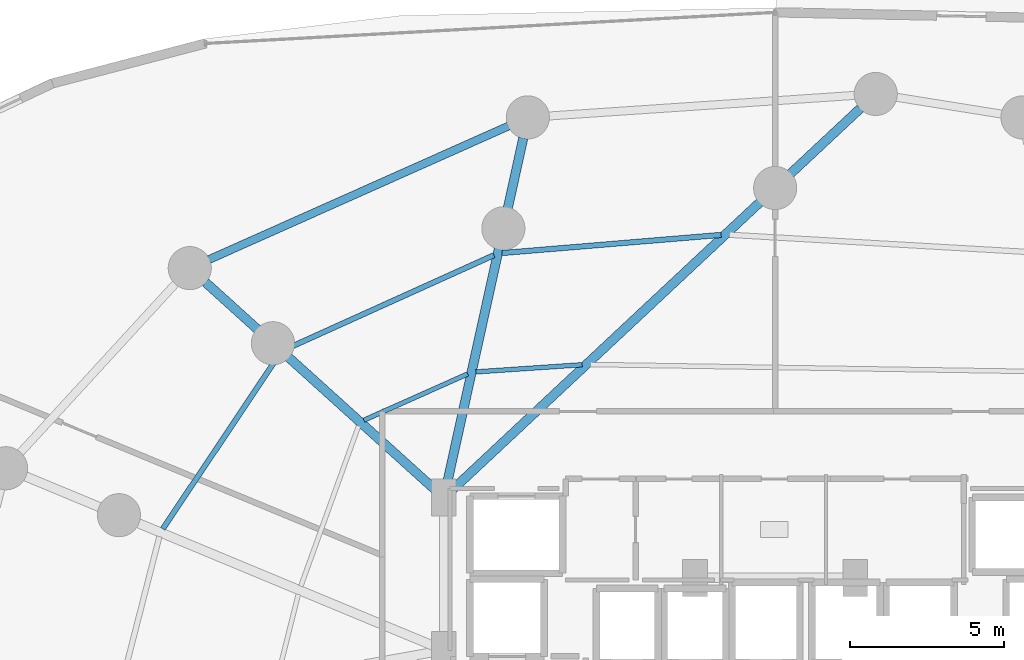
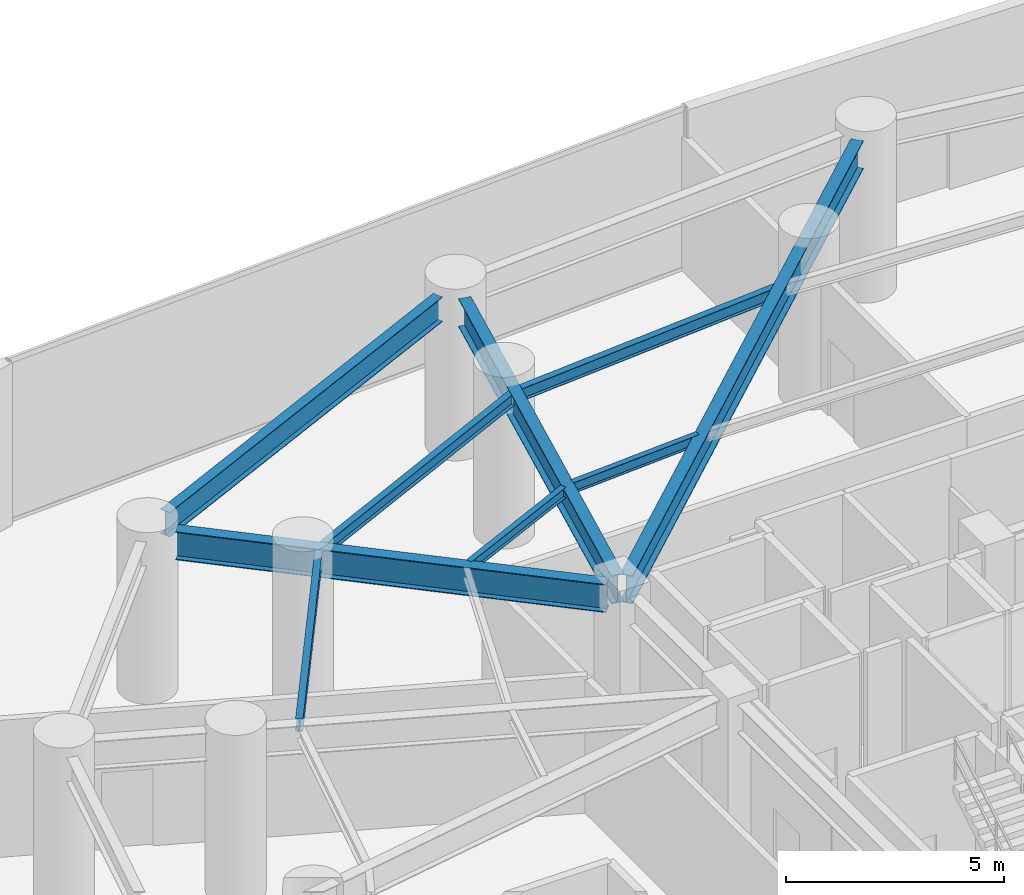
# One storey, part 16 of 32: 9 beams.
"""IFC4 building model written with IfcOpenShell, lengths in metres."""

from ifc_helpers import new_model, si_unit, direction, frame, origin, origin_2d, place, context, subcontext, project, spatial, i_section, extrude, material, material_profile, profile_set, type_object, element, save


model = new_model("IFC4")

# Units and contexts
model_context = context("Model", 3, precision=1e-05, world=origin(), true_north=direction((0.0, 1.0)))
body_context = subcontext(model_context, "Body", "Model", "MODEL_VIEW")
ifc_project = project(units=[si_unit("LENGTHUNIT", "METRE"), si_unit("AREAUNIT", "SQUARE_METRE"), si_unit("VOLUMEUNIT", "CUBIC_METRE"), si_unit("PLANEANGLEUNIT", "RADIAN"), si_unit("MASSUNIT", "GRAM", prefix="KILO")], contexts=[model_context])

# Site, building, storey
site_placement = place(None, origin())
site = spatial("IfcSite", under=ifc_project, at=site_placement, CompositionType="ELEMENT")
building_placement = place(site_placement, origin())
building = spatial("IfcBuilding", under=site, at=building_placement, Name="Vorneva Point Tower", CompositionType="ELEMENT")
storey_placement = place(building_placement, frame((0.0, 0.0, 19.199951171875)))
storey = spatial("IfcBuildingStorey", under=building, at=storey_placement, Name="L04", CompositionType="ELEMENT", Elevation=19.199951171875)

# Beams
ifc_material = material(Name="Steel S355", Category="steel")
ifc_material_profile_1 = material_profile(ifc_material, i_section(OverallWidth=0.300048828125, OverallDepth=0.7880859375, WebThickness=0.014404296875, FlangeThickness=0.02197265625, at=origin_2d()), Name="80Sh1")
ifc_profile_set_1 = profile_set([ifc_material_profile_1], Name="Steel S355")
beam_type_1 = type_object("IfcBeamType", Name="BM-GRD-80Sh1", PredefinedType="USERDEFINED", material=ifc_profile_set_1)
beam_1_placement = place(storey_placement, frame((40.762451171875, 45.78271484375, 4.14599609375), z_axis=(-0.730484943743, -0.682928800802, 0.0), x_axis=(0.682928800802, -0.730484943743, 0.0)))
element("IfcBeam", 1, at=beam_1_placement, inside=storey, type_object=beam_type_1, Name="L04 Radial Primary Girder 05", ObjectType="GIRDER", PredefinedType="USERDEFINED", context=body_context, shape_type="SweptSolid", body=[
    extrude(i_section(OverallWidth=0.300048828125, OverallDepth=0.7880859375, WebThickness=0.014404296875, FlangeThickness=0.02197265625, at=origin_2d()), origin(), (0.0, 0.0, 1.0), 18.157958984375),
])
beam_2_placement = place(storey_placement, frame((29.825439453125, 44.81982421875, 4.14599609375), z_axis=(-0.215507553279, -0.97650217331, 0.0), x_axis=(0.97650217331, -0.215507553279, 0.0)))
element("IfcBeam", 2, at=beam_2_placement, inside=storey, type_object=beam_type_1, Name="L04 Radial Primary Girder 06", ObjectType="GIRDER", PredefinedType="USERDEFINED", context=body_context, shape_type="SweptSolid", body=[
    extrude(i_section(OverallWidth=0.300048828125, OverallDepth=0.7880859375, WebThickness=0.014404296875, FlangeThickness=0.02197265625, at=origin_2d()), origin(), (0.0, 0.0, 1.0), 11.610595703125),
])
beam_3_placement = place(storey_placement, frame((19.51318359375, 40.138671875, 4.14599609375), z_axis=(0.742080891711, -0.670310338692, 0.0), x_axis=(0.670310338692, 0.742080891711, 0.0)))
element("IfcBeam", 3, at=beam_3_placement, inside=storey, type_object=beam_type_1, Name="L04 Radial Primary Girder 07", ObjectType="GIRDER", PredefinedType="USERDEFINED", context=body_context, shape_type="SweptSolid", body=[
    extrude(i_section(OverallWidth=0.300048828125, OverallDepth=0.7880859375, WebThickness=0.014404296875, FlangeThickness=0.02197265625, at=origin_2d()), origin(), (0.0, 0.0, 1.0), 10.0859375),
])
ifc_material_profile_2 = material_profile(ifc_material, i_section(OverallWidth=0.14892578125, OverallDepth=0.298095703125, WebThickness=0.005615234375, FlangeThickness=0.008056640625, at=origin_2d()), Name="30B1")
ifc_profile_set_2 = profile_set([ifc_material_profile_2], Name="Steel S355")
beam_type_2 = type_object("IfcBeamType", Name="BM-JST-30B1", PredefinedType="JOIST", material=ifc_profile_set_2)
beam_4_placement = place(storey_placement, frame((31.73779296875, 37.465087890625, 4.39111328125), z_axis=(-0.997739957542, -0.067193579484, 0.0), x_axis=(0.067193579484, -0.997739957542, 0.0)))
element("IfcBeam", 4, at=beam_4_placement, inside=storey, type_object=beam_type_2, Name="L04 Secondary Floor Beam 2.05", PredefinedType="JOIST", context=body_context, shape_type="SweptSolid", body=[
    extrude(i_section(OverallWidth=0.14892578125, OverallDepth=0.298095703125, WebThickness=0.005615234375, FlangeThickness=0.008056640625, at=origin_2d()), origin(), (0.0, 0.0, 1.0), 3.458984375),
])
beam_5_placement = place(storey_placement, frame((28.02294921875, 37.167236328125, 4.39111328125), z_axis=(-0.91332783327, -0.407225083921, 0.0), x_axis=(0.407225083921, -0.91332783327, 0.0)))
element("IfcBeam", 5, at=beam_5_placement, inside=storey, type_object=beam_type_2, Name="L04 Secondary Floor Beam 2.06", PredefinedType="JOIST", context=body_context, shape_type="SweptSolid", body=[
    extrude(i_section(OverallWidth=0.14892578125, OverallDepth=0.298095703125, WebThickness=0.005615234375, FlangeThickness=0.008056640625, at=origin_2d()), origin(), (0.0, 0.0, 1.0), 3.68896484375),
])
ifc_material_profile_3 = material_profile(ifc_material, i_section(OverallWidth=0.174072265625, OverallDepth=0.345947265625, WebThickness=0.006103515625, FlangeThickness=0.009033203125, at=origin_2d()), Name="35B1")
ifc_profile_set_3 = profile_set([ifc_material_profile_3], Name="Steel S355")
beam_type_3 = type_object("IfcBeamType", Name="BM-SEC-35B1", PredefinedType="BEAM", material=ifc_profile_set_3)
beam_6_placement = place(storey_placement, frame((36.247802734375, 41.67919921875, 4.366943359375), z_axis=(-0.996579890989, -0.082634864781, 0.0), x_axis=(0.082634864781, -0.996579890989, 0.0)))
element("IfcBeam", 6, at=beam_6_placement, inside=storey, type_object=beam_type_3, Name="L04 Secondary Floor Beam 1.05", PredefinedType="BEAM", context=body_context, shape_type="SweptSolid", body=[
    extrude(i_section(OverallWidth=0.174072265625, OverallDepth=0.345947265625, WebThickness=0.006103515625, FlangeThickness=0.009033203125, at=origin_2d()), origin(), (0.0, 0.0, 1.0), 7.135009765625),
])
beam_7_placement = place(storey_placement, frame((28.8740234375, 41.021484375, 4.366943359375), z_axis=(-0.911274275525, -0.411799945078, 0.0), x_axis=(0.411799945078, -0.911274275525, 0.0)))
element("IfcBeam", 7, at=beam_7_placement, inside=storey, type_object=beam_type_3, Name="L04 Secondary Floor Beam 1.06", PredefinedType="BEAM", context=body_context, shape_type="SweptSolid", body=[
    extrude(i_section(OverallWidth=0.174072265625, OverallDepth=0.345947265625, WebThickness=0.006103515625, FlangeThickness=0.009033203125, at=origin_2d()), origin(), (0.0, 0.0, 1.0), 7.423828125),
])
beam_8_placement = place(storey_placement, frame((21.906494140625, 37.792724609375, 4.366943359375), z_axis=(-0.555602741017, -0.831447890234, 0.0), x_axis=(0.831447890234, -0.555602741017, 0.0)))
element("IfcBeam", 8, at=beam_8_placement, inside=storey, type_object=beam_type_3, Name="L04 Secondary Floor Beam 1.07", PredefinedType="BEAM", context=body_context, shape_type="SweptSolid", body=[
    extrude(i_section(OverallWidth=0.174072265625, OverallDepth=0.345947265625, WebThickness=0.006103515625, FlangeThickness=0.009033203125, at=origin_2d()), origin(), (0.0, 0.0, 1.0), 6.8017578125),
])
ifc_material_profile_4 = material_profile(ifc_material, i_section(OverallWidth=0.260009765625, OverallDepth=0.69091796875, WebThickness=0.011962890625, FlangeThickness=0.015380859375, at=origin_2d()), Name="70B1")
ifc_profile_set_4 = profile_set([ifc_material_profile_4], Name="Steel S355")
beam_type_4 = type_object("IfcBeamType", Name="BM-SPN-70B1", PredefinedType="SPANDREL", material=ifc_profile_set_4)
beam_9_placement = place(storey_placement, frame((29.34814453125, 45.212646484375, 4.194580078125), z_axis=(-0.913331288807, -0.407217333725, 0.0), x_axis=(0.407217333725, -0.913331288807, 0.0)))
element("IfcBeam", 9, at=beam_9_placement, inside=storey, type_object=beam_type_4, Name="L04 Perimeter Spandrel Ring Beam 06", PredefinedType="SPANDREL", context=body_context, shape_type="SweptSolid", body=[
    extrude(i_section(OverallWidth=0.260009765625, OverallDepth=0.69091796875, WebThickness=0.011962890625, FlangeThickness=0.015380859375, at=origin_2d()), origin(), (0.0, 0.0, 1.0), 10.642333984375),
])

save(model, "model.ifc")
